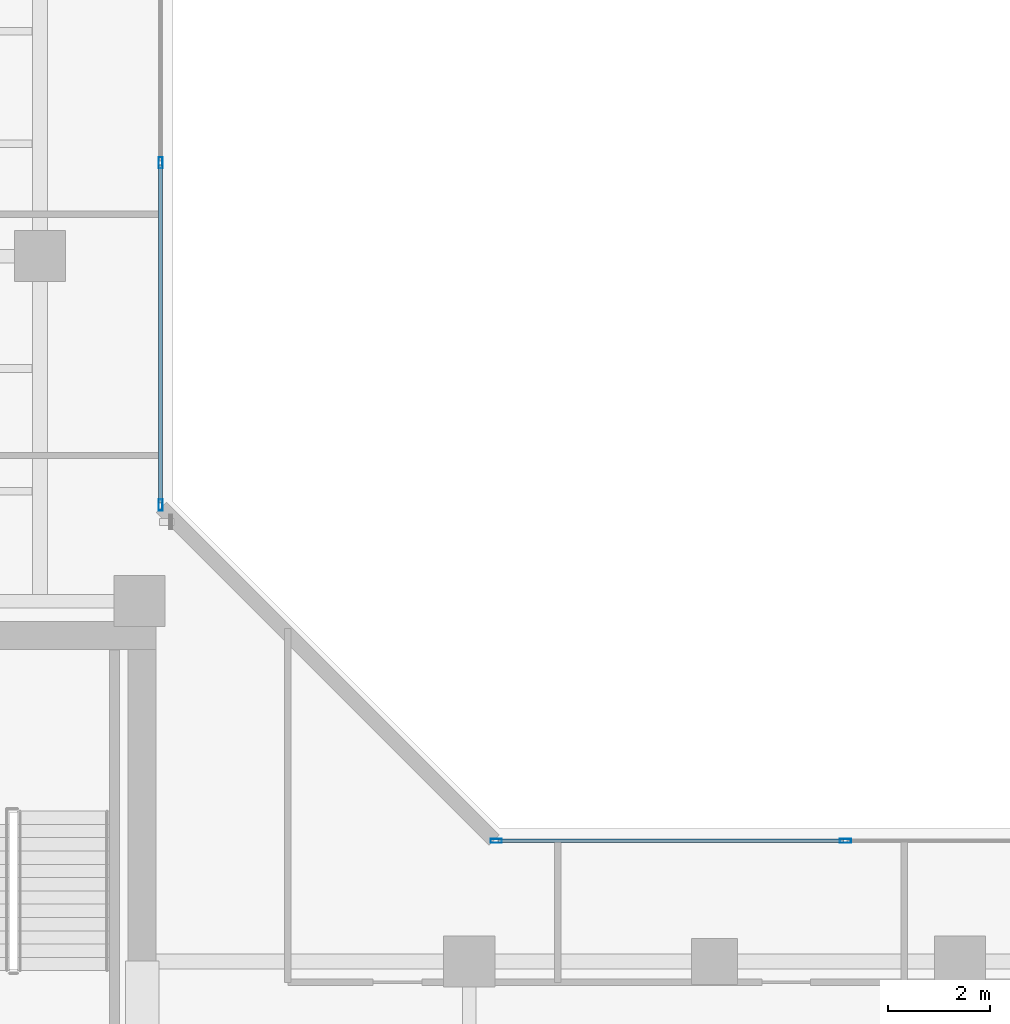
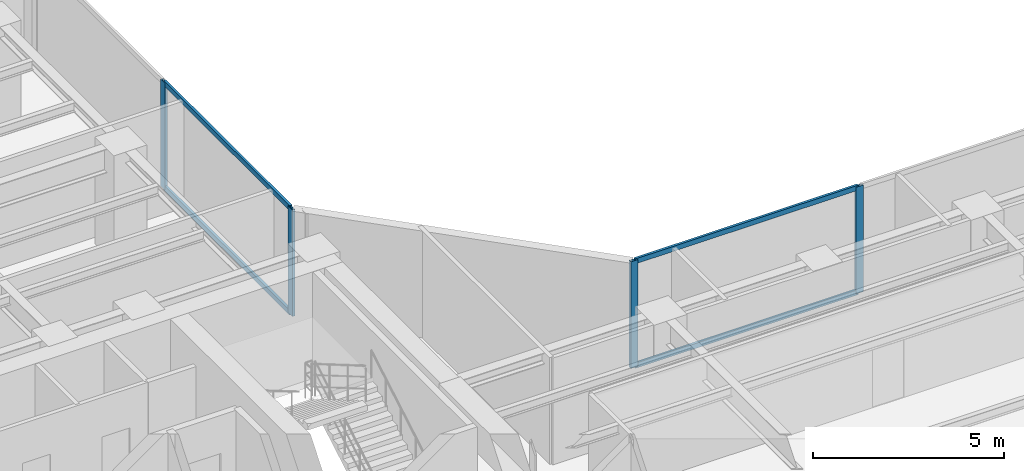
# One storey, part 10 of 24: 8 members, 2 elements without a shape of their own.
"""IFC4 building model written with IfcOpenShell, lengths in metres."""

import ifcopenshell
import ifcopenshell.guid

model = None  # the IFC model being written
_history = None  # IfcOwnerHistory: only IFC2X3 demands one
_inside = {}  # id of a spatial element -> (the spatial element, [elements in it])
_under = {}  # id of a project, library or spatial element -> (it, [spatial elements below it])
_declared = {}  # id of a project -> (the project, [libraries it declares])
_typed = {}  # id of a type object -> (the type object, [elements of that type])
_made_of = {}  # id of a material, layer set ... -> (it, [elements and type objects made of it])


def new_model(schema):
    """Start an empty IFC model of exactly this schema.

    Asked for "IFC4X3", IfcOpenShell would pick the latest addendum, in which some entities
    have other attributes; the version numbers below select the first issue.
    IFC2X3 requires an IfcOwnerHistory on every rooted entity: one is made here for all.
    """
    global model, _history
    if schema == "IFC4X3":
        model = ifcopenshell.file(schema_version=(4, 3, 0, 0))
    else:
        model = ifcopenshell.file(schema=schema)
    _inside.clear()
    _under.clear()
    _declared.clear()
    _typed.clear()
    _made_of.clear()
    _history = None
    if model.schema == "IFC2X3":
        org = make("IfcOrganization", Name="unknown")
        user = make(
            "IfcPersonAndOrganization",
            ThePerson=make("IfcPerson", FamilyName="unknown"),
            TheOrganization=org,
        )
        app = make(
            "IfcApplication",
            ApplicationDeveloper=org,
            Version="unknown",
            ApplicationFullName="unknown",
            ApplicationIdentifier="unknown",
        )
        _history = make(
            "IfcOwnerHistory",
            OwningUser=user,
            OwningApplication=app,
            ChangeAction="ADDED",
            CreationDate=0,
        )
    return model


def make(cls, **values):
    """One entity of the class cls with the attributes given. An attribute that is None is left unset."""
    return model.create_entity(
        cls, **{name: value for name, value in values.items() if value is not None}
    )


def rooted(cls, **values):
    """An entity with a GlobalId (a new one), such as an element, a storey or a relation."""
    return make(cls, GlobalId=ifcopenshell.guid.new(), OwnerHistory=_history, **values)


def si_unit(unit_type, name, prefix=None):
    """IfcSIUnit, for example si_unit("LENGTHUNIT", "METRE", prefix="MILLI")."""
    return make("IfcSIUnit", UnitType=unit_type, Prefix=prefix, Name=name)


def assignment(units):
    """IfcUnitAssignment: the units of a project."""
    return None if units is None else make("IfcUnitAssignment", Units=units)


def point(xyz):
    """IfcCartesianPoint."""
    return None if xyz is None else make("IfcCartesianPoint", Coordinates=xyz)


def direction(xyz):
    """IfcDirection."""
    return None if xyz is None else make("IfcDirection", DirectionRatios=xyz)


def frame(location, z_axis=None, x_axis=None):
    """IfcAxis2Placement3D, a coordinate frame: its origin and axes. An axis left out is left unset."""
    return make(
        "IfcAxis2Placement3D",
        Location=point(location),
        Axis=direction(z_axis),
        RefDirection=direction(x_axis),
    )


def frame_2d(location, x_axis=None):
    """IfcAxis2Placement2D, a coordinate frame in the plane: its origin and x axis."""
    return make(
        "IfcAxis2Placement2D", Location=point(location), RefDirection=direction(x_axis)
    )


def origin():
    """The frame at (0, 0, 0) with its axes left unset."""
    return frame((0.0, 0.0, 0.0))


def origin_with_axes():
    """The frame at (0, 0, 0) with the z axis (0, 0, 1) and the x axis (1, 0, 0) written out."""
    return frame((0.0, 0.0, 0.0), z_axis=(0.0, 0.0, 1.0), x_axis=(1.0, 0.0, 0.0))


def origin_2d():
    """The frame at (0, 0) in the plane with its x axis left unset."""
    return frame_2d((0.0, 0.0))


def place(relative_to, where):
    """IfcLocalPlacement: puts the frame where relative to a parent placement (None: the world)."""
    return make(
        "IfcLocalPlacement", PlacementRelTo=relative_to, RelativePlacement=where
    )


def context(
    kind, dimensions, precision=None, world=None, true_north=None, identifier=None
):
    """IfcGeometricRepresentationContext, for example the 3D "Model" context."""
    return make(
        "IfcGeometricRepresentationContext",
        ContextIdentifier=identifier,
        ContextType=kind,
        CoordinateSpaceDimension=dimensions,
        Precision=precision,
        WorldCoordinateSystem=world,
        TrueNorth=true_north,
    )


def subcontext(parent, identifier, kind, view, scale=None):
    """IfcGeometricRepresentationSubContext, for example "Body" below "Model"."""
    return make(
        "IfcGeometricRepresentationSubContext",
        ContextIdentifier=identifier,
        ContextType=kind,
        ParentContext=parent,
        TargetScale=scale,
        TargetView=view,
    )


def project(units=None, contexts=None):
    """IfcProject with its units and contexts."""
    return rooted(
        "IfcProject",
        Name="project",
        RepresentationContexts=contexts,
        UnitsInContext=assignment(units),
    )


def spatial(cls, under=None, at=None, **own):
    """A site, building, storey or space (cls), placed at a placement, below another one or the project."""
    s = rooted(cls, ObjectPlacement=at, **own)
    if under is not None:
        _under.setdefault(under.id(), (under, []))[1].append(s)
    return s


def profile(cls, at=None, kind="AREA", **sizes):
    """A parametric profile (cls). Its sizes go by their IFC names, for example OverallWidth=200.0."""
    return make(cls, ProfileType=kind, Position=at, **sizes)


def hollow_rectangle(**sizes):
    """IfcRectangleHollowProfileDef."""
    return profile("IfcRectangleHollowProfileDef", **sizes)


def extrude(swept, where, along, depth):
    """IfcExtrudedAreaSolid: the profile swept, set in the frame where, extruded along a direction by depth."""
    return make(
        "IfcExtrudedAreaSolid",
        SweptArea=swept,
        Position=where,
        ExtrudedDirection=direction(along),
        Depth=depth,
    )


def shape(context_of_items, identifier, shape_type, items):
    """IfcShapeRepresentation: the items that make up one representation, for example the "Body"."""
    return make(
        "IfcShapeRepresentation",
        ContextOfItems=context_of_items,
        RepresentationIdentifier=identifier,
        RepresentationType=shape_type,
        Items=items,
    )


def source(mapping_origin, context_of_items, identifier, shape_type, items):
    """IfcRepresentationMap: a shape defined once, which mapped items show again and again."""
    return make(
        "IfcRepresentationMap",
        MappingOrigin=mapping_origin,
        MappedRepresentation=shape(context_of_items, identifier, shape_type, items),
    )


def transform(
    local_origin,
    x_axis=None,
    y_axis=None,
    z_axis=None,
    scale=None,
    scale2=None,
    scale3=None,
    uniform=True,
):
    """IfcCartesianTransformationOperator3D, or its non-uniform kind. x_axis, y_axis, z_axis: its Axis1, 2, 3."""
    if uniform:
        return make(
            "IfcCartesianTransformationOperator3D",
            Axis1=direction(x_axis),
            Axis2=direction(y_axis),
            LocalOrigin=point(local_origin),
            Scale=scale,
            Axis3=direction(z_axis),
        )
    return make(
        "IfcCartesianTransformationOperator3DnonUniform",
        Axis1=direction(x_axis),
        Axis2=direction(y_axis),
        LocalOrigin=point(local_origin),
        Scale=scale,
        Axis3=direction(z_axis),
        Scale2=scale2,
        Scale3=scale3,
    )


def mapped(mapping_source, mapping_target):
    """IfcMappedItem: shows the shape of a source again, moved by a transform."""
    return make(
        "IfcMappedItem", MappingSource=mapping_source, MappingTarget=mapping_target
    )


def material(Name=None, Category=None):
    """IfcMaterial."""
    return make("IfcMaterial", Name=Name, Category=Category)


def layer(
    of_material, thickness, ventilated=None, Name=None, Category=None, Priority=None
):
    """IfcMaterialLayer: one layer of a wall or slab, of a material (None: an air gap)."""
    return make(
        "IfcMaterialLayer",
        Material=of_material,
        LayerThickness=thickness,
        IsVentilated=ventilated,
        Name=Name,
        Category=Category,
        Priority=Priority,
    )


def layer_set(layers, Name=None):
    """IfcMaterialLayerSet."""
    return make("IfcMaterialLayerSet", MaterialLayers=layers, LayerSetName=Name)


def material_profile(
    of_material, cross_section, Name=None, Category=None, Priority=None
):
    """IfcMaterialProfile: a cross section and its material."""
    return make(
        "IfcMaterialProfile",
        Name=Name,
        Material=of_material,
        Profile=cross_section,
        Priority=Priority,
        Category=Category,
    )


def profile_set(profiles, Name=None, composite=None):
    """IfcMaterialProfileSet."""
    return make(
        "IfcMaterialProfileSet",
        Name=Name,
        MaterialProfiles=profiles,
        CompositeProfile=composite,
    )


def made_of(thing, what):
    """Note that an element or type object is made of a material, layer set ...; save() writes the relation."""
    if what is not None:
        _made_of.setdefault(what.id(), (what, []))[1].append(thing)
    return thing


def type_object(cls, material=None, **own):
    """A type object (cls), such as IfcWallType, which elements share."""
    return made_of(rooted(cls, **own), material)


def element(
    cls,
    number,
    at=None,
    inside=None,
    cuts=None,
    type_object=None,
    material=None,
    context=None,
    identifier="Body",
    shape_type=None,
    held_by="IfcProductDefinitionShape",
    body=None,
    shapes=None,
    **own,
):
    """One element of the class cls, such as IfcWall. Its Tag is "e" and its number.

    at: its placement. inside: the storey or other place that contains it. cuts: it is an
    opening in that element (IfcRelVoidsElement). A single representation is given by context,
    identifier, shape_type and body (its items); several are given by shapes. held_by: the class
    of the entity that holds the representations. save() writes the other relations.
    """
    e = rooted(cls, Tag="e%d" % number, ObjectPlacement=at, **own)
    if body is not None:
        shapes = [shape(context, identifier, shape_type, body)]
    if shapes is not None:
        e.Representation = make(held_by, Representations=shapes)
    if inside is not None:
        _inside.setdefault(inside.id(), (inside, []))[1].append(e)
    if cuts is not None:
        rooted(
            "IfcRelVoidsElement", RelatingBuildingElement=cuts, RelatedOpeningElement=e
        )
    if type_object is not None:
        _typed.setdefault(type_object.id(), (type_object, []))[1].append(e)
    return made_of(e, material)


def aggregate(whole, parts):
    """IfcRelAggregates: a whole, such as a stair, and the parts it consists of."""
    return rooted("IfcRelAggregates", RelatingObject=whole, RelatedObjects=parts)


def save(model, path):
    """Write the relations noted so far, then the file.

    IfcRelAggregates (storeys below a building ...), IfcRelContainedInSpatialStructure (elements
    in a storey), IfcRelDefinesByType, IfcRelAssociatesMaterial and IfcRelDeclares: one each for
    every whole, place, type object, material and project.
    """
    for whole, parts in _under.values():
        aggregate(whole, parts)
    for where, things in _inside.values():
        rooted(
            "IfcRelContainedInSpatialStructure",
            RelatedElements=things,
            RelatingStructure=where,
        )
    for kind, things in _typed.values():
        rooted("IfcRelDefinesByType", RelatedObjects=things, RelatingType=kind)
    for what, things in _made_of.values():
        rooted("IfcRelAssociatesMaterial", RelatedObjects=things, RelatingMaterial=what)
    for by, libraries in _declared.values():
        rooted("IfcRelDeclares", RelatingContext=by, RelatedDefinitions=libraries)
    model.write(path)


model = new_model("IFC4")

# Units and contexts
model_context = context("Model", 3, precision=1e-05, world=origin(), true_north=direction((0.0, 1.0)))
body_context = subcontext(model_context, "Body", "Model", "MODEL_VIEW")
ifc_project = project(units=[si_unit("LENGTHUNIT", "METRE"), si_unit("AREAUNIT", "SQUARE_METRE"), si_unit("VOLUMEUNIT", "CUBIC_METRE"), si_unit("PLANEANGLEUNIT", "RADIAN"), si_unit("MASSUNIT", "GRAM", prefix="KILO")], contexts=[model_context])

# Site, building, storey
site_placement = place(None, origin())
site = spatial("IfcSite", under=ifc_project, at=site_placement, CompositionType="ELEMENT")
building_placement = place(site_placement, origin())
building = spatial("IfcBuilding", under=site, at=building_placement, Name="Kolvaren Waterfront Exchange", CompositionType="ELEMENT")
storey_placement = place(building_placement, frame((0.0, 0.0, 253.89990234375)))
storey = spatial("IfcBuildingStorey", under=building, at=storey_placement, Name="L65", CompositionType="ELEMENT", Elevation=253.89990234375)

# Curtain wall, members
ifc_material_1 = material(Name="Anodised bronze aluminium 6063-T6", Category="aluminium")
ifc_layer = layer(ifc_material_1, 0.219970703125, Name="Anodised bronze aluminium 6063-T6")
ifc_layer_set = layer_set([ifc_layer], Name="Anodised bronze aluminium 6063-T6")
curtain_wall_type = type_object("IfcCurtainWallType", Name="ARC-CW-SYS1", PredefinedType="USERDEFINED", material=ifc_layer_set)
curtain_wall_1_placement = place(storey_placement, origin())
curtain_wall_1 = element("IfcCurtainWall", 1, at=curtain_wall_1_placement, inside=storey, type_object=curtain_wall_type, Name="L65 stick curtain wall CW1 (CW-L65-NE)", ObjectType="STICK CURTAIN WALL", PredefinedType="USERDEFINED")
ifc_material_2 = material(Name="Anodised aluminium 6063-T6", Category="aluminium")
ifc_material_profile_1 = material_profile(ifc_material_2, hollow_rectangle(XDim=0.074951171875, YDim=0.159912109375, WallThickness=0.00439453125, at=origin_2d()), Name="ALU-TRN-160x75x4.5")
ifc_profile_set_1 = profile_set([ifc_material_profile_1], Name="Anodised aluminium 6063-T6")
member_type_1 = type_object("IfcMemberType", Name="ARC-CWT-160", PredefinedType="USERDEFINED", material=ifc_profile_set_1)
shared_shape_1 = source(origin_with_axes(), body_context, "Body", "SweptSolid", [
    extrude(hollow_rectangle(XDim=0.074951171875, YDim=0.159912109375, WallThickness=0.00439453125, at=origin_2d()), origin(), (0.0, 0.0, 1.0), 6.616455078125),
])
member_1_placement = place(storey_placement, frame((21.159912109375, 26.3701171875, 0.03759765625), z_axis=(0.0, 1.0, 0.0), x_axis=(-1.0, 0.0, 0.0)))
member_1 = element("IfcMember", 2, at=member_1_placement, type_object=member_type_1, Name="CW1 transom 1.1", ObjectType="TRANSOM", PredefinedType="USERDEFINED", context=body_context, shape_type="MappedRepresentation", body=[
    mapped(shared_shape_1, transform((0.0, 0.0, 0.0), x_axis=(1.0, 0.0, 0.0), y_axis=(0.0, 1.0, 0.0), z_axis=(0.0, 0.0, 1.0), scale=1.0)),
])
member_2_placement = place(storey_placement, frame((21.159912109375, 26.3701171875, 3.382568359375), z_axis=(0.0, 1.0, 0.0), x_axis=(-1.0, 0.0, 0.0)))
member_2 = element("IfcMember", 3, at=member_2_placement, type_object=member_type_1, Name="CW1 transom 1.2", ObjectType="TRANSOM", PredefinedType="USERDEFINED", context=body_context, shape_type="MappedRepresentation", body=[
    mapped(shared_shape_1, transform((0.0, 0.0, 0.0), x_axis=(1.0, 0.0, 0.0), y_axis=(0.0, 1.0, 0.0), z_axis=(0.0, 0.0, 1.0), scale=1.0)),
])

curtain_wall_2_placement = place(storey_placement, origin())
curtain_wall_2 = element("IfcCurtainWall", 4, at=curtain_wall_2_placement, inside=storey, type_object=curtain_wall_type, Name="L65 stick curtain wall CW1 (CW-L65-EN)", ObjectType="STICK CURTAIN WALL", PredefinedType="USERDEFINED")
shared_shape_2 = source(origin_with_axes(), body_context, "Body", "SweptSolid", [
    extrude(hollow_rectangle(XDim=0.074951171875, YDim=0.159912109375, WallThickness=0.00439453125, at=origin_2d()), origin(), (0.0, 0.0, 1.0), 6.75),
])
member_3_placement = place(storey_placement, frame((27.77001953125, 19.760009765625, 0.03759765625), z_axis=(1.0, 0.0, 0.0), x_axis=(0.0, 1.0, 0.0)))
member_3 = element("IfcMember", 5, at=member_3_placement, type_object=member_type_1, Name="CW1 transom 1.1", ObjectType="TRANSOM", PredefinedType="USERDEFINED", context=body_context, shape_type="MappedRepresentation", body=[
    mapped(shared_shape_2, transform((0.0, 0.0, 0.0), x_axis=(1.0, 0.0, 0.0), y_axis=(0.0, 1.0, 0.0), z_axis=(0.0, 0.0, 1.0), scale=1.0)),
])
member_4_placement = place(storey_placement, frame((27.77001953125, 19.760009765625, 3.382568359375), z_axis=(1.0, 0.0, 0.0), x_axis=(0.0, 1.0, 0.0)))
member_4 = element("IfcMember", 6, at=member_4_placement, type_object=member_type_1, Name="CW1 transom 1.2", ObjectType="TRANSOM", PredefinedType="USERDEFINED", context=body_context, shape_type="MappedRepresentation", body=[
    mapped(shared_shape_2, transform((0.0, 0.0, 0.0), x_axis=(1.0, 0.0, 0.0), y_axis=(0.0, 1.0, 0.0), z_axis=(0.0, 0.0, 1.0), scale=1.0)),
])

# Member
ifc_material_profile_2 = material_profile(ifc_material_2, hollow_rectangle(XDim=0.080078125, YDim=0.219970703125, WallThickness=0.0048828125, at=origin_2d()), Name="ALU-MUL-220x80x5")
ifc_profile_set_2 = profile_set([ifc_material_profile_2], Name="Anodised aluminium 6063-T6")
member_type_2 = type_object("IfcMemberType", Name="ARC-CWM-220", PredefinedType="MULLION", material=ifc_profile_set_2)
shared_shape_3 = source(origin_with_axes(), body_context, "Body", "SweptSolid", [
    extrude(hollow_rectangle(XDim=0.080078125, YDim=0.219970703125, WallThickness=0.0048828125, at=origin_2d()), origin(), (0.0, 0.0, 1.0), 3.420166015625),
])
member_5_placement = place(storey_placement, frame((21.159912109375, 26.330078125, 0.0), z_axis=(0.0, 0.0, 1.0), x_axis=(-1.0, 0.0, 0.0)))
member_5 = element("IfcMember", 7, at=member_5_placement, type_object=member_type_2, Name="CW1 mullion 1", PredefinedType="MULLION", context=body_context, shape_type="MappedRepresentation", body=[
    mapped(shared_shape_3, transform((0.0, 0.0, 0.0), x_axis=(1.0, 0.0, 0.0), y_axis=(0.0, 1.0, 0.0), z_axis=(0.0, 0.0, 1.0), scale=1.0)),
])

member_6_placement = place(storey_placement, frame((21.159912109375, 33.026611328125, 0.0), z_axis=(0.0, 0.0, 1.0), x_axis=(-1.0, 0.0, 0.0)))
member_6 = element("IfcMember", 8, at=member_6_placement, type_object=member_type_2, Name="CW1 mullion 2", PredefinedType="MULLION", context=body_context, shape_type="MappedRepresentation", body=[
    mapped(shared_shape_3, transform((0.0, 0.0, 0.0), x_axis=(1.0, 0.0, 0.0), y_axis=(0.0, 1.0, 0.0), z_axis=(0.0, 0.0, 1.0), scale=1.0)),
])

aggregate(curtain_wall_1, [member_5, member_6, member_1, member_2])

member_7_placement = place(storey_placement, frame((27.72998046875, 19.760009765625, 0.0), z_axis=(0.0, 0.0, 1.0), x_axis=(0.0, 1.0, 0.0)))
member_7 = element("IfcMember", 9, at=member_7_placement, type_object=member_type_2, Name="CW1 mullion 1", PredefinedType="MULLION", context=body_context, shape_type="MappedRepresentation", body=[
    mapped(shared_shape_3, transform((0.0, 0.0, 0.0), x_axis=(1.0, 0.0, 0.0), y_axis=(0.0, 1.0, 0.0), z_axis=(0.0, 0.0, 1.0), scale=1.0)),
])

member_8_placement = place(storey_placement, frame((34.56005859375, 19.760009765625, 0.0), z_axis=(0.0, 0.0, 1.0), x_axis=(0.0, 1.0, 0.0)))
member_8 = element("IfcMember", 10, at=member_8_placement, type_object=member_type_2, Name="CW1 mullion 2", PredefinedType="MULLION", context=body_context, shape_type="MappedRepresentation", body=[
    mapped(shared_shape_3, transform((0.0, 0.0, 0.0), x_axis=(1.0, 0.0, 0.0), y_axis=(0.0, 1.0, 0.0), z_axis=(0.0, 0.0, 1.0), scale=1.0)),
])

aggregate(curtain_wall_2, [member_7, member_8, member_3, member_4])

save(model, "model.ifc")
